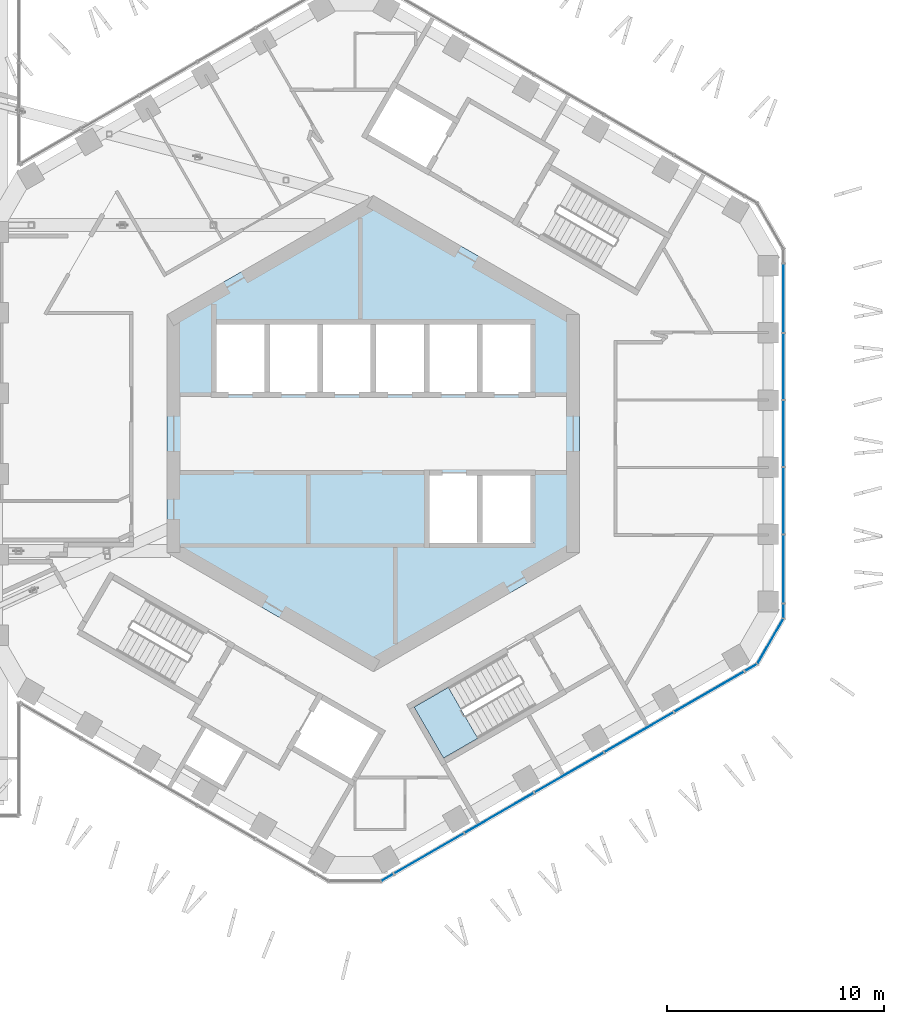
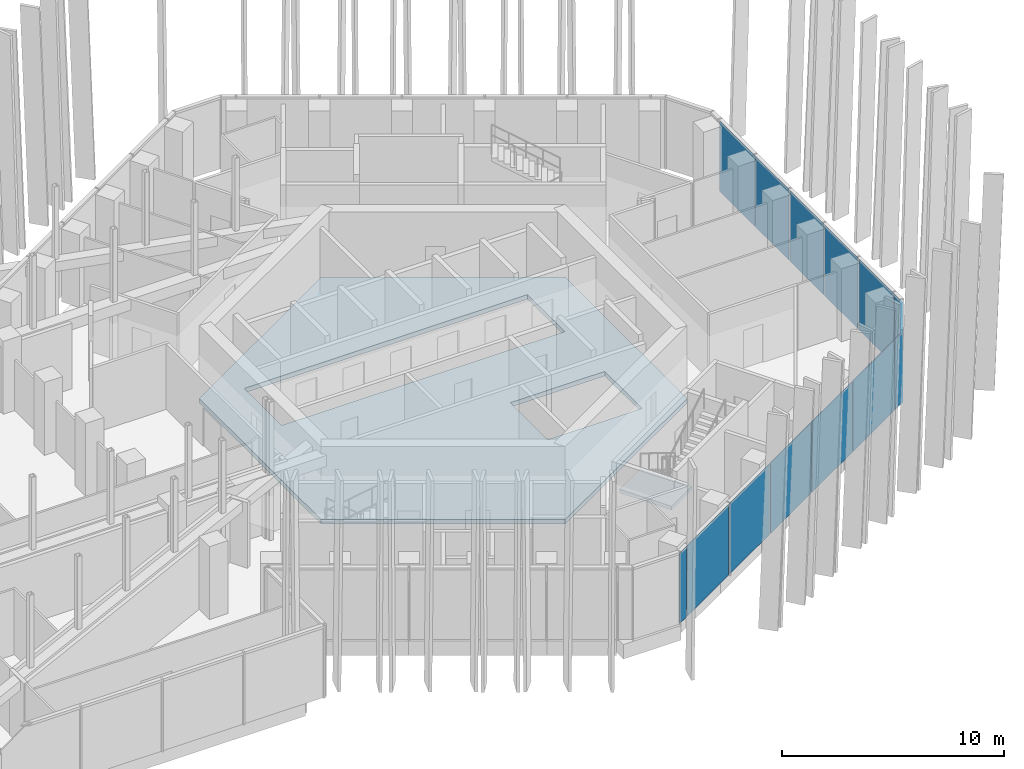
# One storey, part 14 of 28: 14 plates, 2 slabs, 5 elements without a shape of their own.
"""IFC4 building model written with IfcOpenShell, lengths in metres."""

from ifc_helpers import new_model, si_unit, direction, frame, origin, origin_2d, place, context, subcontext, project, spatial, polyline, rectangle, outline, extrude, material, layer, layer_set, type_object, element, aggregate, save


model = new_model("IFC4")

# Units and contexts
model_context = context("Model", 3, precision=1e-05, world=origin(), true_north=direction((0.0, 1.0)))
body_context = subcontext(model_context, "Body", "Model", "MODEL_VIEW")
ifc_project = project(units=[si_unit("LENGTHUNIT", "METRE"), si_unit("AREAUNIT", "SQUARE_METRE"), si_unit("VOLUMEUNIT", "CUBIC_METRE"), si_unit("PLANEANGLEUNIT", "RADIAN"), si_unit("MASSUNIT", "GRAM", prefix="KILO")], contexts=[model_context])

# Site, building, storey
site_placement = place(None, origin())
site = spatial("IfcSite", under=ifc_project, at=site_placement, CompositionType="ELEMENT")
building_placement = place(site_placement, origin())
building = spatial("IfcBuilding", under=site, at=building_placement, Name="Ayvan Gate Tower", CompositionType="ELEMENT")
storey_placement = place(building_placement, frame((0.0, 0.0, 202.10009765625)))
storey = spatial("IfcBuildingStorey", under=building, at=storey_placement, Name="L54", CompositionType="ELEMENT", Elevation=202.10009765625)

# Slab
ifc_material_1 = material(Name="Concrete C40/50", Category="concrete")
ifc_layer_1 = layer(ifc_material_1, 0.25)
ifc_layer_set_1 = layer_set([ifc_layer_1], Name="Concrete C40/50")
slab_type_1 = type_object("IfcSlabType", Name="SL-CORE-250", PredefinedType="FLOOR", material=ifc_layer_set_1)
slab_1_placement = place(storey_placement, frame((0.0, 0.0, -0.25)))
element("IfcSlab", 1, at=slab_1_placement, inside=storey, type_object=slab_type_1, Name="CS-L54", PredefinedType="FLOOR", context=body_context, shape_type="SweptSolid", body=[
    extrude(outline(polyline([(9.5, -5.48486328125), (0.0, -10.9697265625), (-9.5, -5.48486328125), (-9.5, 5.48486328125), (0.0, 10.9697265625), (9.5, 5.48486328125), (9.5, -5.48486328125)]), holes=[polyline([(-7.35009765625, 5.14990234375), (-7.35009765625, 1.800048828125), (7.35009765625, 1.800048828125), (7.35009765625, 5.14990234375), (-7.35009765625, 5.14990234375)]), polyline([(2.449951171875, -1.800048828125), (2.449951171875, -5.14990234375), (7.35009765625, -5.14990234375), (7.35009765625, -1.800048828125), (2.449951171875, -1.800048828125)])]), origin(), (0.0, 0.0, 1.0), 0.25),
])

# Stair, slab
stair_type = type_object("IfcStairType", Name="ST-EXIT", PredefinedType="HALF_TURN_STAIR", material=ifc_material_1)
stair_placement = place(storey_placement, origin())
stair = element("IfcStair", 2, at=stair_placement, inside=storey, type_object=stair_type, Name="L54 Exit Stair S3", PredefinedType="HALF_TURN_STAIR")
ifc_layer_2 = layer(ifc_material_1, 0.199951171875)
ifc_layer_set_2 = layer_set([ifc_layer_2], Name="Concrete C40/50")
slab_type_2 = type_object("IfcSlabType", Name="SL-LANDING-200", PredefinedType="LANDING", material=ifc_layer_set_2)
slab_2_placement = place(storey_placement, frame((0.0, 0.0, 1.7998046875)))
slab_2 = element("IfcSlab", 3, at=slab_2_placement, type_object=slab_type_2, Name="STS3 landing 1", PredefinedType="LANDING", context=body_context, shape_type="SweptSolid", body=[
    extrude(outline(polyline([(3.449951171875, -11.685546875), (1.873779296875, -12.595458984375), (3.228759765625, -14.9423828125), (4.804931640625, -14.032470703125), (3.449951171875, -11.685546875)])), origin(), (0.0, 0.0, 1.0), 0.2001953125),
])
aggregate(stair, [slab_2])

# Curtain wall, plates
ifc_material_2 = material(Name="Bronze anodised aluminium", Category="aluminium")
ifc_layer_3 = layer(ifc_material_2, 0.199951171875)
ifc_layer_set_3 = layer_set([ifc_layer_3], Name="Bronze anodised aluminium")
curtain_wall_type_1 = type_object("IfcCurtainWallType", Name="Stick curtain wall CW-2", PredefinedType="NOTDEFINED", material=ifc_layer_set_3)
curtain_wall_1_placement = place(storey_placement, origin())
curtain_wall_1 = element("IfcCurtainWall", 4, at=curtain_wall_1_placement, inside=storey, type_object=curtain_wall_type_1, Name="Stick curtain wall CW-2 L54", PredefinedType="NOTDEFINED")
ifc_material_3 = material(Name="Clear low-iron laminated glass", Category="glass")
ifc_layer_4 = layer(ifc_material_3, 0.028076171875)
ifc_layer_set_4 = layer_set([ifc_layer_4], Name="Clear low-iron laminated glass")
plate_type_1 = type_object("IfcPlateType", Name="Stick curtain wall CW-2 glass panel", PredefinedType="CURTAIN_PANEL", material=ifc_layer_set_4)
plate_1_placement = place(storey_placement, frame((2.54736328125, -19.342041015625, 0.0), z_axis=(0.0, 0.0, 1.0), x_axis=(0.866025403784, 0.5, 0.0)))
plate_1 = element("IfcPlate", 5, at=plate_1_placement, type_object=plate_type_1, Name="CW-2 glass panel 1", PredefinedType="CURTAIN_PANEL", context=body_context, shape_type="SweptSolid", body=[
    extrude(rectangle(XDim=3.716064453125, YDim=0.028076171875, at=origin_2d()), origin(), (0.0, 0.0, 1.0), 3.8798828125),
])
plate_2_placement = place(storey_placement, frame((5.79541015625, -17.466796875, 0.0), z_axis=(0.0, 0.0, 1.0), x_axis=(0.866025403784, 0.5, 0.0)))
plate_2 = element("IfcPlate", 6, at=plate_2_placement, type_object=plate_type_1, Name="CW-2 glass panel 2", PredefinedType="CURTAIN_PANEL", context=body_context, shape_type="SweptSolid", body=[
    extrude(rectangle(XDim=3.64501953125, YDim=0.028076171875, at=origin_2d()), origin(), (0.0, 0.0, 1.0), 3.8798828125),
])
plate_3_placement = place(storey_placement, frame((9.01220703125, -15.609375, 0.0), z_axis=(0.0, 0.0, 1.0), x_axis=(0.866025403784, 0.5, 0.0)))
plate_3 = element("IfcPlate", 7, at=plate_3_placement, type_object=plate_type_1, Name="CW-2 glass panel 3", PredefinedType="CURTAIN_PANEL", context=body_context, shape_type="SweptSolid", body=[
    extrude(rectangle(XDim=3.64404296875, YDim=0.028076171875, at=origin_2d()), origin(), (0.0, 0.0, 1.0), 3.8798828125),
])
plate_4_placement = place(storey_placement, frame((12.22900390625, -13.752197265625, 0.0), z_axis=(0.0, 0.0, 1.0), x_axis=(0.866025403784, 0.5, 0.0)))
plate_4 = element("IfcPlate", 8, at=plate_4_placement, type_object=plate_type_1, Name="CW-2 glass panel 4", PredefinedType="CURTAIN_PANEL", context=body_context, shape_type="SweptSolid", body=[
    extrude(rectangle(XDim=3.64501953125, YDim=0.028076171875, at=origin_2d()), origin(), (0.0, 0.0, 1.0), 3.8798828125),
])
plate_5_placement = place(storey_placement, frame((15.47705078125, -11.876953125, 0.0), z_axis=(0.0, 0.0, 1.0), x_axis=(0.866025403784, 0.5, 0.0)))
plate_5 = element("IfcPlate", 9, at=plate_5_placement, type_object=plate_type_1, Name="CW-2 glass panel 5", PredefinedType="CURTAIN_PANEL", context=body_context, shape_type="SweptSolid", body=[
    extrude(rectangle(XDim=3.7158203125, YDim=0.028076171875, at=origin_2d()), origin(), (0.0, 0.0, 1.0), 3.8798828125),
])
aggregate(curtain_wall_1, [plate_1, plate_2, plate_3, plate_4, plate_5])

curtain_wall_2_placement = place(storey_placement, origin())
curtain_wall_2 = element("IfcCurtainWall", 10, at=curtain_wall_2_placement, inside=storey, type_object=curtain_wall_type_1, Name="Stick curtain wall CW-2 L54", PredefinedType="NOTDEFINED")
plate_6_placement = place(storey_placement, frame((18.886474609375, -6.251953125, 0.0), z_axis=(0.0, 0.0, 1.0), x_axis=(0.0, 1.0, 0.0)))
plate_6 = element("IfcPlate", 11, at=plate_6_placement, type_object=plate_type_1, Name="CW-2 glass panel 1", PredefinedType="CURTAIN_PANEL", context=body_context, shape_type="SweptSolid", body=[
    extrude(rectangle(XDim=3.155029296875, YDim=0.028076171875, at=origin_2d()), origin(), (0.0, 0.0, 1.0), 3.8798828125),
])
plate_7_placement = place(storey_placement, frame((18.886474609375, -3.093017578125, 0.0), z_axis=(0.0, 0.0, 1.0), x_axis=(0.0, 1.0, 0.0)))
plate_7 = element("IfcPlate", 12, at=plate_7_placement, type_object=plate_type_1, Name="CW-2 glass panel 2", PredefinedType="CURTAIN_PANEL", context=body_context, shape_type="SweptSolid", body=[
    extrude(rectangle(XDim=3.02294921875, YDim=0.028076171875, at=origin_2d()), origin(), (0.0, 0.0, 1.0), 3.8798828125),
])
plate_8_placement = place(storey_placement, frame((18.886474609375, 0.0, 0.0), z_axis=(0.0, 0.0, 1.0), x_axis=(0.0, 1.0, 0.0)))
plate_8 = element("IfcPlate", 13, at=plate_8_placement, type_object=plate_type_1, Name="CW-2 glass panel 3", PredefinedType="CURTAIN_PANEL", context=body_context, shape_type="SweptSolid", body=[
    extrude(rectangle(XDim=3.02294921875, YDim=0.028076171875, at=origin_2d()), origin(), (0.0, 0.0, 1.0), 3.8798828125),
])
plate_9_placement = place(storey_placement, frame((18.886474609375, 3.093017578125, 0.0), z_axis=(0.0, 0.0, 1.0), x_axis=(0.0, 1.0, 0.0)))
plate_9 = element("IfcPlate", 14, at=plate_9_placement, type_object=plate_type_1, Name="CW-2 glass panel 4", PredefinedType="CURTAIN_PANEL", context=body_context, shape_type="SweptSolid", body=[
    extrude(rectangle(XDim=3.02294921875, YDim=0.028076171875, at=origin_2d()), origin(), (0.0, 0.0, 1.0), 3.8798828125),
])
plate_10_placement = place(storey_placement, frame((18.886474609375, 6.251953125, 0.0), z_axis=(0.0, 0.0, 1.0), x_axis=(0.0, 1.0, 0.0)))
plate_10 = element("IfcPlate", 15, at=plate_10_placement, type_object=plate_type_1, Name="CW-2 glass panel 5", PredefinedType="CURTAIN_PANEL", context=body_context, shape_type="SweptSolid", body=[
    extrude(rectangle(XDim=3.15478515625, YDim=0.028076171875, at=origin_2d()), origin(), (0.0, 0.0, 1.0), 3.8798828125),
])
aggregate(curtain_wall_2, [plate_6, plate_7, plate_8, plate_9, plate_10])

# Curtain wall, plate
ifc_layer_5 = layer(ifc_material_2, 0.199951171875)
ifc_layer_set_5 = layer_set([ifc_layer_5], Name="Bronze anodised aluminium")
curtain_wall_type_2 = type_object("IfcCurtainWallType", Name="Stick curtain wall CW-6", PredefinedType="NOTDEFINED", material=ifc_layer_set_5)
curtain_wall_3_placement = place(storey_placement, origin())
curtain_wall_3 = element("IfcCurtainWall", 16, at=curtain_wall_3_placement, inside=storey, type_object=curtain_wall_type_2, Name="Stick curtain wall CW-6 L54", PredefinedType="NOTDEFINED")
ifc_layer_6 = layer(ifc_material_3, 0.028076171875)
ifc_layer_set_6 = layer_set([ifc_layer_6], Name="Clear low-iron laminated glass")
plate_type_2 = type_object("IfcPlateType", Name="Stick curtain wall CW-6 glass panel", PredefinedType="CURTAIN_PANEL", material=ifc_layer_set_6)
plate_11_placement = place(storey_placement, frame((0.63720703125, -20.444580078125, 0.0), z_axis=(0.0, 0.0, 1.0), x_axis=(0.866025403784, 0.5, 0.0)))
plate_11 = element("IfcPlate", 17, at=plate_11_placement, type_object=plate_type_2, Name="CW-6 glass panel 3", PredefinedType="CURTAIN_PANEL", context=body_context, shape_type="SweptSolid", body=[
    extrude(rectangle(XDim=0.625, YDim=0.028076171875, at=origin_2d()), origin(), (0.0, 0.0, 1.0), 3.8798828125),
])
aggregate(curtain_wall_3, [plate_11])

# Curtain wall, plates
curtain_wall_4_placement = place(storey_placement, origin())
curtain_wall_4 = element("IfcCurtainWall", 18, at=curtain_wall_4_placement, inside=storey, type_object=curtain_wall_type_2, Name="Stick curtain wall CW-6 L54", PredefinedType="NOTDEFINED")
plate_12_placement = place(storey_placement, frame((17.386962890625, -10.774169921875, 0.0), z_axis=(0.0, 0.0, 1.0), x_axis=(0.866025403784, 0.5, 0.0)))
plate_12 = element("IfcPlate", 19, at=plate_12_placement, type_object=plate_type_2, Name="CW-6 glass panel 1", PredefinedType="CURTAIN_PANEL", context=body_context, shape_type="SweptSolid", body=[
    extrude(rectangle(XDim=0.625, YDim=0.028076171875, at=origin_2d()), origin(), (0.0, 0.0, 1.0), 3.8798828125),
])
plate_13_placement = place(storey_placement, frame((18.282958984375, -9.56005859375, 0.0), z_axis=(0.0, 0.0, 1.0), x_axis=(0.5, 0.866025403784, 0.0)))
plate_13 = element("IfcPlate", 20, at=plate_13_placement, type_object=plate_type_2, Name="CW-6 glass panel 2", PredefinedType="CURTAIN_PANEL", context=body_context, shape_type="SweptSolid", body=[
    extrude(rectangle(XDim=2.364501953125, YDim=0.028076171875, at=origin_2d()), origin(), (0.0, 0.0, 1.0), 3.8798828125),
])
plate_14_placement = place(storey_placement, frame((18.886474609375, -8.177001953125, 0.0), z_axis=(0.0, 0.0, 1.0), x_axis=(0.0, 1.0, 0.0)))
plate_14 = element("IfcPlate", 21, at=plate_14_placement, type_object=plate_type_2, Name="CW-6 glass panel 3", PredefinedType="CURTAIN_PANEL", context=body_context, shape_type="SweptSolid", body=[
    extrude(rectangle(XDim=0.625, YDim=0.028076171875, at=origin_2d()), origin(), (0.0, 0.0, 1.0), 3.8798828125),
])
aggregate(curtain_wall_4, [plate_12, plate_13, plate_14])

save(model, "model.ifc")
